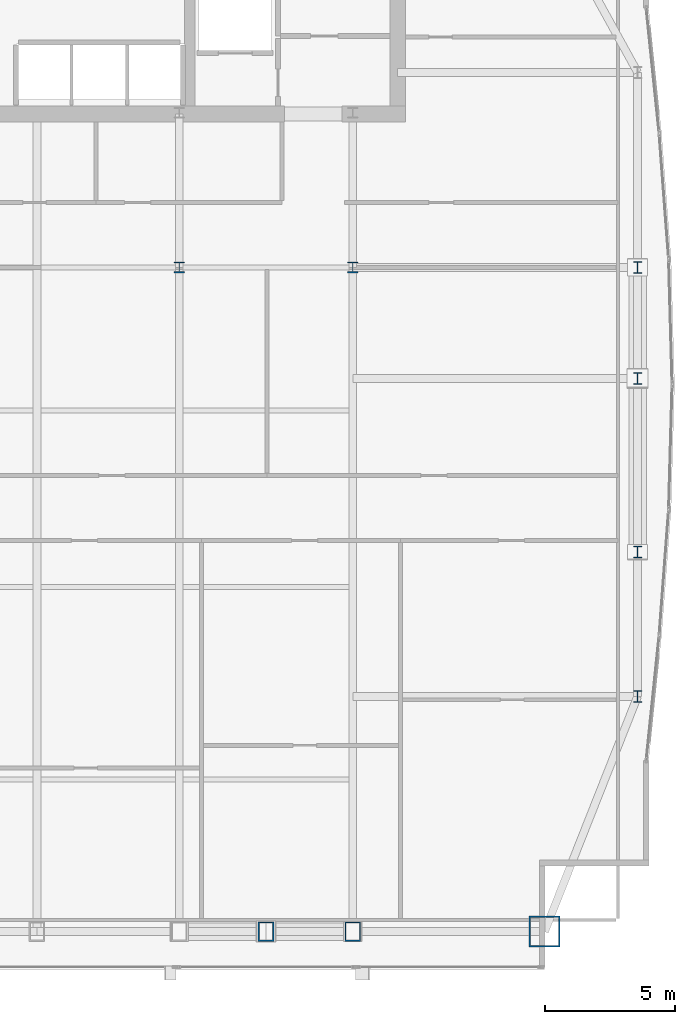
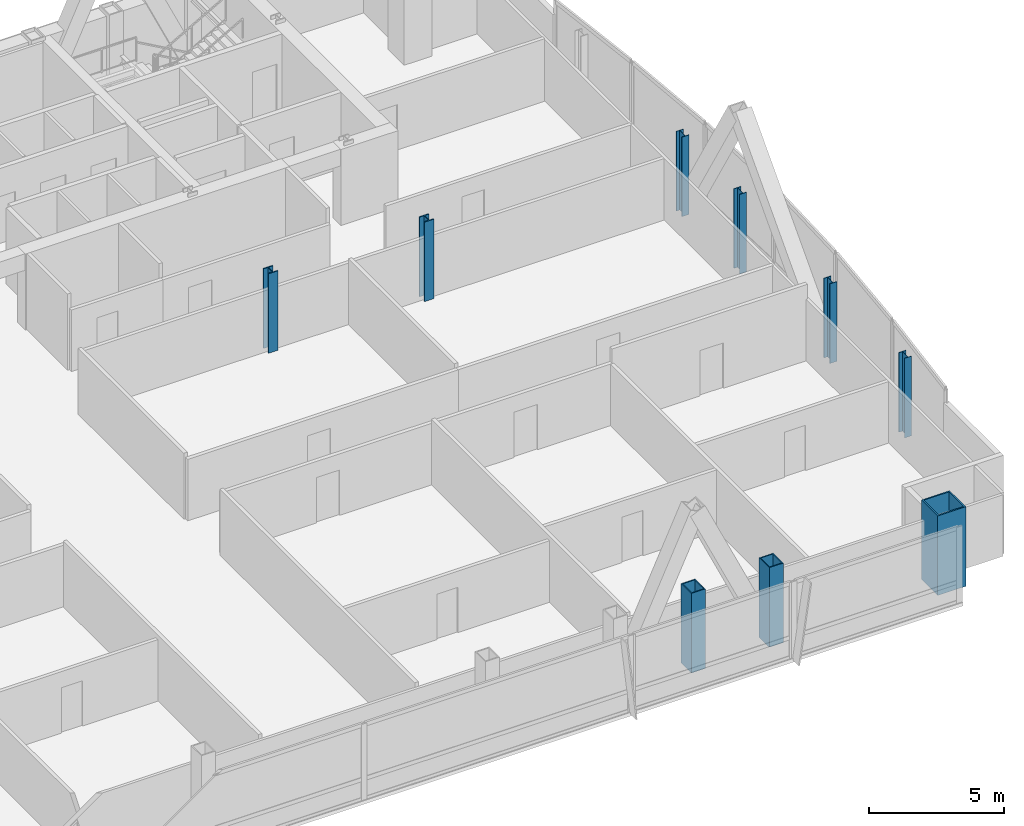
# One storey, part 2 of 32: 9 columns.
"""IFC4 building model written with IfcOpenShell, lengths in metres."""

from ifc_helpers import new_model, si_unit, direction, frame, origin, origin_2d, place, context, subcontext, project, spatial, hollow_rectangle, i_section, extrude, material, material_profile, profile_set, type_object, element, save


model = new_model("IFC4")

# Units and contexts
model_context = context("Model", 3, precision=1e-05, world=origin(), true_north=direction((0.0, 1.0)))
body_context = subcontext(model_context, "Body", "Model", "MODEL_VIEW")
ifc_project = project(units=[si_unit("LENGTHUNIT", "METRE"), si_unit("AREAUNIT", "SQUARE_METRE"), si_unit("VOLUMEUNIT", "CUBIC_METRE"), si_unit("PLANEANGLEUNIT", "RADIAN"), si_unit("MASSUNIT", "GRAM", prefix="KILO")], contexts=[model_context])

# Site, building, storey
site_placement = place(None, origin())
site = spatial("IfcSite", under=ifc_project, at=site_placement, CompositionType="ELEMENT")
building_placement = place(site_placement, origin())
building = spatial("IfcBuilding", under=site, at=building_placement, Name="Khoronbel Lancet Exchange", CompositionType="ELEMENT")
storey_placement = place(building_placement, frame((0.0, 0.0, 231.800048828125)))
storey = spatial("IfcBuildingStorey", under=building, at=storey_placement, Name="L59", CompositionType="ELEMENT", Elevation=231.800048828125)

# Columns
ifc_material_1 = material(Name="Steel S460", Category="steel")
ifc_material_profile_1 = material_profile(ifc_material_1, hollow_rectangle(XDim=0.60009765625, YDim=0.75, WallThickness=0.044921875, at=origin_2d()), Name="BOX 750x600x45")
ifc_profile_set_1 = profile_set([ifc_material_profile_1], Name="Steel S460")
column_type_1 = type_object("IfcColumnType", Name="COL-EC3", PredefinedType="COLUMN", material=ifc_profile_set_1)
for number, where, z_axis, x_axis, name in (
    (1, (51.33740234375, 10.14990234375, 0.0), (0.0, 0.0, 1.0), (1.0, 0.0, 0.0), "Structural column SC-EM L59"),
    (2, (54.675048828125, 10.14990234375, 0.0), (0.0, 0.0, 1.0), (1.0, 0.0, 0.0), "Structural column SC-E2 L59"),
):
    element("IfcColumn", number, at=place(storey_placement, frame(where, z_axis=z_axis, x_axis=x_axis)), inside=storey, type_object=column_type_1, Name=name, PredefinedType="COLUMN", context=body_context, shape_type="SweptSolid", body=[
        extrude(hollow_rectangle(XDim=0.60009765625, YDim=0.75, WallThickness=0.044921875, at=origin_2d()), origin(), (0.0, 0.0, 1.0), 3.599853515625),
    ])
ifc_material_2 = material(Name="Steel S355", Category="steel")
ifc_material_profile_2 = material_profile(ifc_material_2, i_section(OverallWidth=0.406005859375, OverallDepth=0.416015625, WebThickness=0.02978515625, FlangeThickness=0.048095703125, at=origin_2d()), Name="HD 400x382")
ifc_profile_set_2 = profile_set([ifc_material_profile_2], Name="Steel S355")
column_type_2 = type_object("IfcColumnType", Name="COL-IC3", PredefinedType="COLUMN", material=ifc_profile_set_2)
for number, where, z_axis, x_axis, name in (
    (3, (48.0, 35.699951171875, 0.0), (0.0, 0.0, 1.0), (1.0, 0.0, 0.0), "Spine gravity column TC3 L59"),
    (4, (54.675048828125, 35.699951171875, 0.0), (0.0, 0.0, 1.0), (1.0, 0.0, 0.0), "Spine gravity column TC4 L59"),
):
    element("IfcColumn", number, at=place(storey_placement, frame(where, z_axis=z_axis, x_axis=x_axis)), inside=storey, type_object=column_type_2, Name=name, PredefinedType="COLUMN", context=body_context, shape_type="SweptSolid", body=[
        extrude(i_section(OverallWidth=0.406005859375, OverallDepth=0.416015625, WebThickness=0.02978515625, FlangeThickness=0.048095703125, at=origin_2d()), origin(), (0.0, 0.0, 1.0), 3.599853515625),
    ])
ifc_material_profile_3 = material_profile(ifc_material_2, i_section(OverallWidth=0.300048828125, OverallDepth=0.449951171875, WebThickness=0.013916015625, FlangeThickness=0.02587890625, at=origin_2d()), Name="HEB 450")
ifc_profile_set_3 = profile_set([ifc_material_profile_3], Name="Steel S355")
column_type_3 = type_object("IfcColumnType", Name="COL-LC2", PredefinedType="COLUMN", material=ifc_profile_set_3)
for number, where, z_axis, x_axis, name in (
    (5, (65.6298828125, 19.199951171875, 0.0), (0.0, 0.0, 1.0), (1.0, 0.0, 0.0), "Structural column EC-1 L59"),
    (6, (65.6298828125, 24.75, 0.0), (0.0, 0.0, 1.0), (1.0, 0.0, 0.0), "Structural column EC-2 L59"),
    (7, (65.6298828125, 31.425048828125, 0.0), (0.0, 0.0, 1.0), (1.0, 0.0, 0.0), "Structural column EC-M L59"),
    (8, (65.6298828125, 35.699951171875, 0.0), (0.0, 0.0, 1.0), (1.0, 0.0, 0.0), "Structural column EC-3 L59"),
):
    element("IfcColumn", number, at=place(storey_placement, frame(where, z_axis=z_axis, x_axis=x_axis)), inside=storey, type_object=column_type_3, Name=name, PredefinedType="COLUMN", context=body_context, shape_type="SweptSolid", body=[
        extrude(i_section(OverallWidth=0.300048828125, OverallDepth=0.449951171875, WebThickness=0.013916015625, FlangeThickness=0.02587890625, at=origin_2d()), origin(), (0.0, 0.0, 1.0), 3.599853515625),
    ])
ifc_material_profile_4 = material_profile(ifc_material_1, hollow_rectangle(XDim=1.199951171875, YDim=1.199951171875, WallThickness=0.06005859375, at=origin_2d()), Name="BOX 1200x1200x60")
ifc_profile_set_4 = profile_set([ifc_material_profile_4], Name="Steel S460")
column_type_4 = type_object("IfcColumnType", Name="COL-MC5", PredefinedType="COLUMN", material=ifc_profile_set_4)
column_placement = place(storey_placement, frame((62.050048828125, 10.14990234375, 0.0), z_axis=(0.0, 0.0, 1.0), x_axis=(1.0, 0.0, 0.0)))
element("IfcColumn", 9, at=column_placement, inside=storey, type_object=column_type_4, Name="Structural column MC-SE L59", PredefinedType="COLUMN", context=body_context, shape_type="SweptSolid", body=[
    extrude(hollow_rectangle(XDim=1.199951171875, YDim=1.199951171875, WallThickness=0.06005859375, at=origin_2d()), origin(), (0.0, 0.0, 1.0), 3.599853515625),
])

save(model, "model.ifc")
